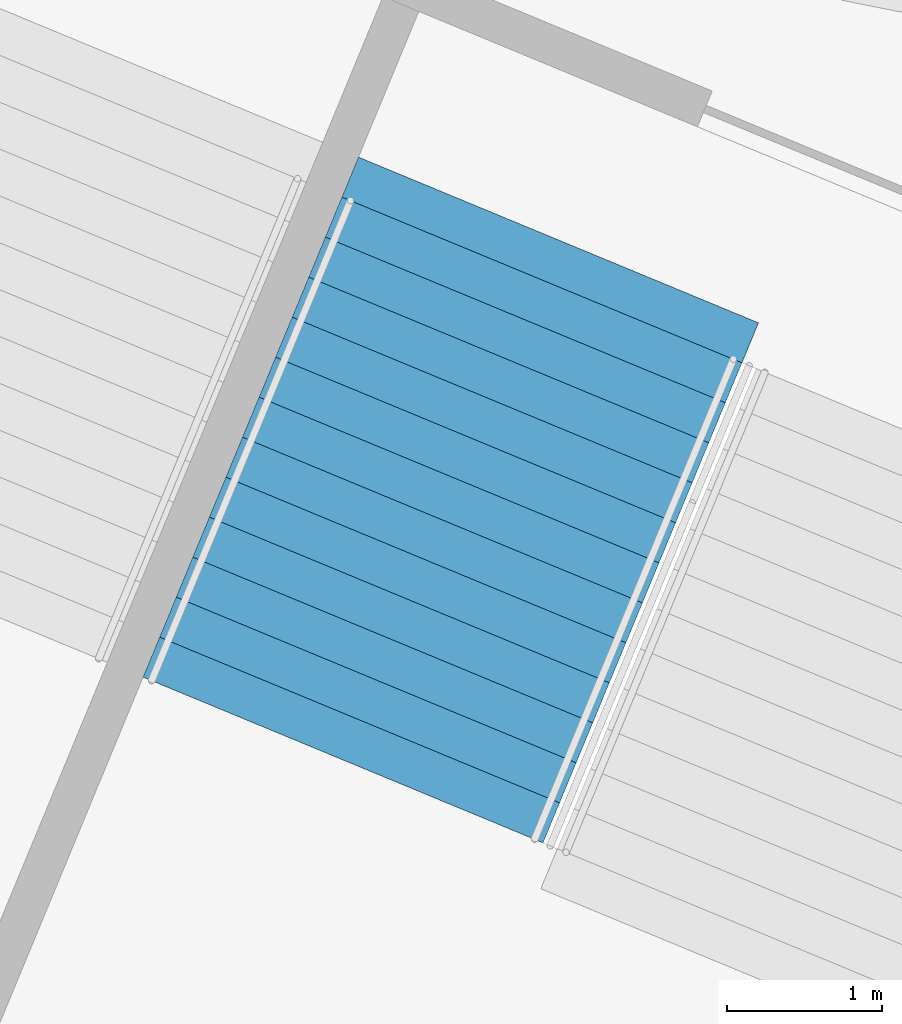
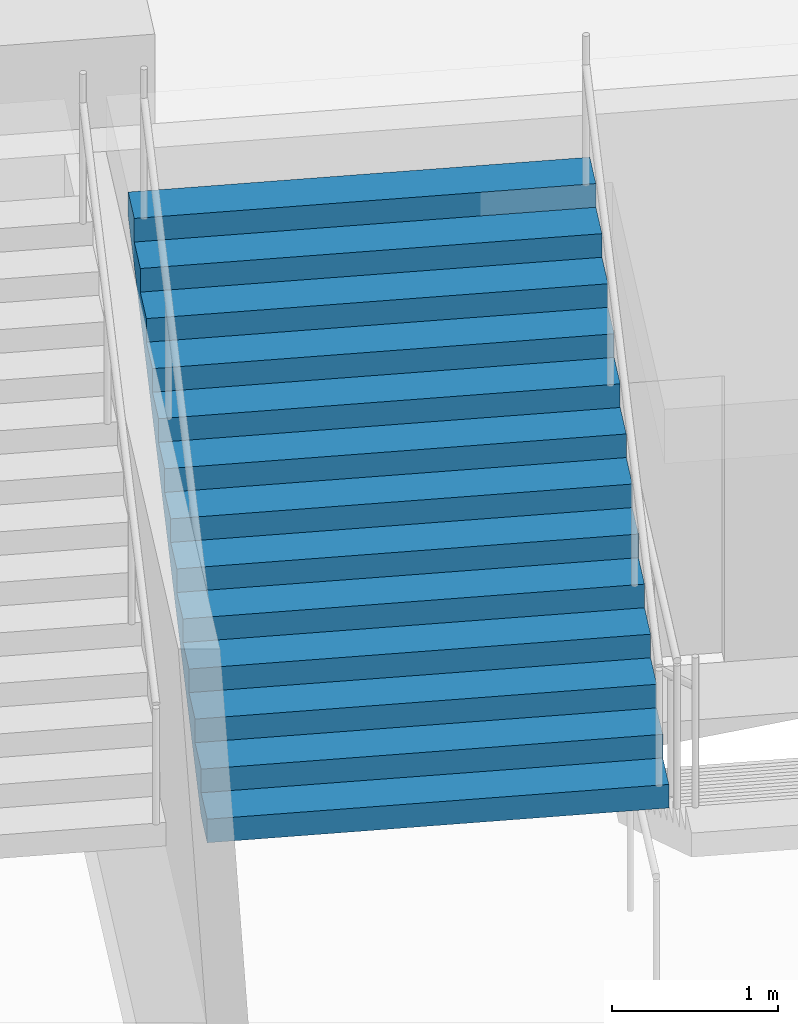
# One storey, part 109 of 199: 1 stair flight, 1 element without a shape of its own.
"""IFC4 building model written with IfcOpenShell, lengths in metres."""

from ifc_helpers import new_model, si_unit, direction, frame, origin, place, context, subcontext, project, spatial, faceted_brep, material, type_object, element, aggregate, save


model = new_model("IFC4")

# Units and contexts
model_context = context("Model", 3, precision=1e-05, world=origin(), true_north=direction((0.0, 1.0)))
body_context = subcontext(model_context, "Body", "Model", "MODEL_VIEW")
ifc_project = project(units=[si_unit("LENGTHUNIT", "METRE"), si_unit("AREAUNIT", "SQUARE_METRE"), si_unit("VOLUMEUNIT", "CUBIC_METRE"), si_unit("PLANEANGLEUNIT", "RADIAN"), si_unit("MASSUNIT", "GRAM", prefix="KILO")], contexts=[model_context])

# Site, building, storey
site_placement = place(None, origin())
site = spatial("IfcSite", under=ifc_project, at=site_placement, CompositionType="ELEMENT")
building_placement = place(site_placement, origin())
building = spatial("IfcBuilding", under=site, at=building_placement, Name="Ogive Plaza Stadium", CompositionType="ELEMENT")
storey_placement = place(building_placement, frame((0.0, 0.0, 4.5)))
storey = spatial("IfcBuildingStorey", under=building, at=storey_placement, Name="L01", CompositionType="ELEMENT", Elevation=4.5)

# Stair, stair flight
ifc_material_1 = material(Name="Concrete C40/50", Category="concrete")
stair_type = type_object("IfcStairType", Name="Exit stair", PredefinedType="STRAIGHT_RUN_STAIR", material=ifc_material_1)
stair_placement = place(storey_placement, origin())
stair = element("IfcStair", 1, at=stair_placement, inside=storey, type_object=stair_type, Name="Exit stair ST18B L01 to L02", PredefinedType="STRAIGHT_RUN_STAIR")
ifc_material_2 = material(Name="Concrete C40/50", Category="concrete")
stair_flight_type = type_object("IfcStairFlightType", Name="Exit stair flight", PredefinedType="STRAIGHT", material=ifc_material_2)
stair_flight_placement = place(storey_placement, frame((-50.08349609375, -95.314208984375, 2.25), z_axis=(0.0, 0.0, 1.0), x_axis=(0.382683432365, 0.923879532511, 0.0)))
stair_flight = element("IfcStairFlight", 2, at=stair_flight_placement, type_object=stair_flight_type, Name="ST18B flight 2", NumberOfRisers=13, NumberOfTreads=12, PredefinedType="STRAIGHT", RiserHeight=0.173076923, TreadLength=0.28, context=body_context, shape_type="Brep", body=[
    faceted_brep([(0.28515625, -1.39990234375, 0.0), (3.639892578125, -1.39990234375, 2.07373046875), (3.639892578125, -1.39990234375, 2.25), (3.360107421875, -1.39990234375, 2.25), (3.360107421875, -1.39990234375, 2.076904296875), (3.080078125, -1.39990234375, 2.076904296875), (3.080078125, -1.39990234375, 1.90380859375), (2.800048828125, -1.39990234375, 1.90380859375), (2.800048828125, -1.39990234375, 1.730712890625), (2.52001953125, -1.39990234375, 1.730712890625), (2.52001953125, -1.39990234375, 1.5576171875), (2.239990234375, -1.39990234375, 1.5576171875), (2.239990234375, -1.39990234375, 1.384521484375), (1.9599609375, -1.39990234375, 1.384521484375), (1.9599609375, -1.39990234375, 1.21142578125), (1.679931640625, -1.39990234375, 1.21142578125), (1.679931640625, -1.39990234375, 1.03857421875), (1.39990234375, -1.39990234375, 1.03857421875), (1.39990234375, -1.39990234375, 0.865478515625), (1.1201171875, -1.39990234375, 0.865478515625), (1.1201171875, -1.39990234375, 0.6923828125), (0.840087890625, -1.39990234375, 0.6923828125), (0.840087890625, -1.39990234375, 0.519287109375), (0.56005859375, -1.39990234375, 0.519287109375), (0.56005859375, -1.39990234375, 0.34619140625), (0.280029296875, -1.39990234375, 0.34619140625), (0.280029296875, -1.39990234375, 0.173095703125), (0.0, -1.39990234375, 0.173095703125), (0.0, -1.39990234375, 0.0), (0.0, 1.39990234375, 0.0), (0.0, 1.39990234375, 0.173095703125), (0.280029296875, 1.39990234375, 0.173095703125), (0.280029296875, 1.39990234375, 0.34619140625), (0.56005859375, 1.39990234375, 0.34619140625), (0.56005859375, 1.39990234375, 0.519287109375), (0.840087890625, 1.39990234375, 0.519287109375), (0.840087890625, 1.39990234375, 0.6923828125), (1.1201171875, 1.39990234375, 0.6923828125), (1.1201171875, 1.39990234375, 0.865478515625), (1.39990234375, 1.39990234375, 0.865478515625), (1.39990234375, 1.39990234375, 1.03857421875), (1.679931640625, 1.39990234375, 1.03857421875), (1.679931640625, 1.39990234375, 1.21142578125), (1.9599609375, 1.39990234375, 1.21142578125), (1.9599609375, 1.39990234375, 1.384521484375), (2.239990234375, 1.39990234375, 1.384521484375), (2.239990234375, 1.39990234375, 1.5576171875), (2.52001953125, 1.39990234375, 1.5576171875), (2.52001953125, 1.39990234375, 1.730712890625), (2.800048828125, 1.39990234375, 1.730712890625), (2.800048828125, 1.39990234375, 1.90380859375), (3.080078125, 1.39990234375, 1.90380859375), (3.080078125, 1.39990234375, 2.076904296875), (3.360107421875, 1.39990234375, 2.076904296875), (3.360107421875, 1.39990234375, 2.25), (3.639892578125, 1.39990234375, 2.25), (3.639892578125, 1.39990234375, 2.07373046875), (0.28515625, 1.39990234375, 0.0), (0.28515625, -1.0888671875, 0.0), (3.639892578125, -1.0888671875, 2.07373046875), (0.28515625, -0.77783203125, 0.0), (3.639892578125, -0.77783203125, 2.07373046875), (0.28515625, -0.466796875, 0.0), (3.639892578125, -0.466796875, 2.07373046875), (0.28515625, -0.155517578125, 0.0), (3.639892578125, -0.155517578125, 2.07373046875), (0.28515625, 0.155517578125, 0.0), (3.639892578125, 0.155517578125, 2.07373046875), (0.28515625, 0.466796875, 0.0), (3.639892578125, 0.466796875, 2.07373046875), (0.28515625, 0.77783203125, 0.0), (3.639892578125, 0.77783203125, 2.07373046875), (0.28515625, 1.0888671875, 0.0), (3.639892578125, 1.0888671875, 2.07373046875), (3.639892578125, -1.0888671875, 2.25), (3.639892578125, -0.77783203125, 2.25), (3.639892578125, -0.466796875, 2.25), (3.639892578125, -0.155517578125, 2.25), (3.639892578125, 0.155517578125, 2.25), (3.639892578125, 0.466796875, 2.25), (3.639892578125, 0.77783203125, 2.25), (3.639892578125, 1.0888671875, 2.25), (3.360107421875, -1.0888671875, 2.25), (3.360107421875, -0.77783203125, 2.25), (3.360107421875, -0.466796875, 2.25), (3.360107421875, -0.155517578125, 2.25), (3.360107421875, 0.155517578125, 2.25), (3.360107421875, 0.466796875, 2.25), (3.360107421875, 0.77783203125, 2.25), (3.360107421875, 1.0888671875, 2.25), (3.360107421875, -1.0888671875, 2.076904296875), (3.360107421875, -0.77783203125, 2.076904296875), (3.360107421875, -0.466796875, 2.076904296875), (3.360107421875, -0.155517578125, 2.076904296875), (3.360107421875, 0.155517578125, 2.076904296875), (3.360107421875, 0.466796875, 2.076904296875), (3.360107421875, 0.77783203125, 2.076904296875), (3.360107421875, 1.0888671875, 2.076904296875), (3.080078125, -1.0888671875, 2.076904296875), (3.080078125, -0.77783203125, 2.076904296875), (3.080078125, -0.466796875, 2.076904296875), (3.080078125, -0.155517578125, 2.076904296875), (3.080078125, 0.155517578125, 2.076904296875), (3.080078125, 0.466796875, 2.076904296875), (3.080078125, 0.77783203125, 2.076904296875), (3.080078125, 1.0888671875, 2.076904296875), (3.080078125, -1.0888671875, 1.90380859375), (3.080078125, -0.77783203125, 1.90380859375), (3.080078125, -0.466796875, 1.90380859375), (3.080078125, -0.155517578125, 1.90380859375), (3.080078125, 0.155517578125, 1.90380859375), (3.080078125, 0.466796875, 1.90380859375), (3.080078125, 0.77783203125, 1.90380859375), (3.080078125, 1.0888671875, 1.90380859375), (2.800048828125, -1.0888671875, 1.90380859375), (2.800048828125, -0.77783203125, 1.90380859375), (2.800048828125, -0.466796875, 1.90380859375), (2.800048828125, -0.155517578125, 1.90380859375), (2.800048828125, 0.155517578125, 1.90380859375), (2.800048828125, 0.466796875, 1.90380859375), (2.800048828125, 0.77783203125, 1.90380859375), (2.800048828125, 1.0888671875, 1.90380859375), (2.800048828125, -1.0888671875, 1.730712890625), (2.800048828125, -0.77783203125, 1.730712890625), (2.800048828125, -0.466796875, 1.730712890625), (2.800048828125, -0.155517578125, 1.730712890625), (2.800048828125, 0.155517578125, 1.730712890625), (2.800048828125, 0.466796875, 1.730712890625), (2.800048828125, 0.77783203125, 1.730712890625), (2.800048828125, 1.0888671875, 1.730712890625), (2.52001953125, -1.0888671875, 1.730712890625), (2.52001953125, -0.77783203125, 1.730712890625), (2.52001953125, -0.466796875, 1.730712890625), (2.52001953125, -0.155517578125, 1.730712890625), (2.52001953125, 0.155517578125, 1.730712890625), (2.52001953125, 0.466796875, 1.730712890625), (2.52001953125, 0.77783203125, 1.730712890625), (2.52001953125, 1.0888671875, 1.730712890625), (2.52001953125, -1.0888671875, 1.5576171875), (2.52001953125, -0.77783203125, 1.5576171875), (2.52001953125, -0.466796875, 1.5576171875), (2.52001953125, -0.155517578125, 1.5576171875), (2.52001953125, 0.155517578125, 1.5576171875), (2.52001953125, 0.466796875, 1.5576171875), (2.52001953125, 0.77783203125, 1.5576171875), (2.52001953125, 1.0888671875, 1.5576171875), (2.239990234375, -1.0888671875, 1.5576171875), (2.239990234375, -0.77783203125, 1.5576171875), (2.239990234375, -0.466796875, 1.5576171875), (2.239990234375, -0.155517578125, 1.5576171875), (2.239990234375, 0.155517578125, 1.5576171875), (2.239990234375, 0.466796875, 1.5576171875), (2.239990234375, 0.77783203125, 1.5576171875), (2.239990234375, 1.0888671875, 1.5576171875), (2.239990234375, -1.0888671875, 1.384521484375), (2.239990234375, -0.77783203125, 1.384521484375), (2.239990234375, -0.466796875, 1.384521484375), (2.239990234375, -0.155517578125, 1.384521484375), (2.239990234375, 0.155517578125, 1.384521484375), (2.239990234375, 0.466796875, 1.384521484375), (2.239990234375, 0.77783203125, 1.384521484375), (2.239990234375, 1.0888671875, 1.384521484375), (1.9599609375, -1.0888671875, 1.384521484375), (1.9599609375, -0.77783203125, 1.384521484375), (1.9599609375, -0.466796875, 1.384521484375), (1.9599609375, -0.155517578125, 1.384521484375), (1.9599609375, 0.155517578125, 1.384521484375), (1.9599609375, 0.466796875, 1.384521484375), (1.9599609375, 0.77783203125, 1.384521484375), (1.9599609375, 1.0888671875, 1.384521484375), (1.9599609375, -1.0888671875, 1.21142578125), (1.9599609375, -0.77783203125, 1.21142578125), (1.9599609375, -0.466796875, 1.21142578125), (1.9599609375, -0.155517578125, 1.21142578125), (1.9599609375, 0.155517578125, 1.21142578125), (1.9599609375, 0.466796875, 1.21142578125), (1.9599609375, 0.77783203125, 1.21142578125), (1.9599609375, 1.0888671875, 1.21142578125), (1.679931640625, -1.0888671875, 1.21142578125), (1.679931640625, -0.77783203125, 1.21142578125), (1.679931640625, -0.466796875, 1.21142578125), (1.679931640625, -0.155517578125, 1.21142578125), (1.679931640625, 0.155517578125, 1.21142578125), (1.679931640625, 0.466796875, 1.21142578125), (1.679931640625, 0.77783203125, 1.21142578125), (1.679931640625, 1.0888671875, 1.21142578125), (1.679931640625, -1.0888671875, 1.03857421875), (1.679931640625, -0.77783203125, 1.03857421875), (1.679931640625, -0.466796875, 1.03857421875), (1.679931640625, -0.155517578125, 1.03857421875), (1.679931640625, 0.155517578125, 1.03857421875), (1.679931640625, 0.466796875, 1.03857421875), (1.679931640625, 0.77783203125, 1.03857421875), (1.679931640625, 1.0888671875, 1.03857421875), (1.39990234375, -1.0888671875, 1.03857421875), (1.39990234375, -0.77783203125, 1.03857421875), (1.39990234375, -0.466796875, 1.03857421875), (1.39990234375, -0.155517578125, 1.03857421875), (1.39990234375, 0.155517578125, 1.03857421875), (1.39990234375, 0.466796875, 1.03857421875), (1.39990234375, 0.77783203125, 1.03857421875), (1.39990234375, 1.0888671875, 1.03857421875), (1.39990234375, -1.0888671875, 0.865478515625), (1.39990234375, -0.77783203125, 0.865478515625), (1.39990234375, -0.466796875, 0.865478515625), (1.39990234375, -0.155517578125, 0.865478515625), (1.39990234375, 0.155517578125, 0.865478515625), (1.39990234375, 0.466796875, 0.865478515625), (1.39990234375, 0.77783203125, 0.865478515625), (1.39990234375, 1.0888671875, 0.865478515625), (1.1201171875, -1.0888671875, 0.865478515625), (1.1201171875, -0.77783203125, 0.865478515625), (1.1201171875, -0.466796875, 0.865478515625), (1.1201171875, -0.155517578125, 0.865478515625), (1.1201171875, 0.155517578125, 0.865478515625), (1.1201171875, 0.466796875, 0.865478515625), (1.1201171875, 0.77783203125, 0.865478515625), (1.1201171875, 1.0888671875, 0.865478515625), (1.1201171875, -1.0888671875, 0.6923828125), (1.1201171875, -0.77783203125, 0.6923828125), (1.1201171875, -0.466796875, 0.6923828125), (1.1201171875, -0.155517578125, 0.6923828125), (1.1201171875, 0.155517578125, 0.6923828125), (1.1201171875, 0.466796875, 0.6923828125), (1.1201171875, 0.77783203125, 0.6923828125), (1.1201171875, 1.0888671875, 0.6923828125), (0.840087890625, -1.0888671875, 0.6923828125), (0.840087890625, -0.77783203125, 0.6923828125), (0.840087890625, -0.466796875, 0.6923828125), (0.840087890625, -0.155517578125, 0.6923828125), (0.840087890625, 0.155517578125, 0.6923828125), (0.840087890625, 0.466796875, 0.6923828125), (0.840087890625, 0.77783203125, 0.6923828125), (0.840087890625, 1.0888671875, 0.6923828125), (0.840087890625, -1.0888671875, 0.519287109375), (0.840087890625, -0.77783203125, 0.519287109375), (0.840087890625, -0.466796875, 0.519287109375), (0.840087890625, -0.155517578125, 0.519287109375), (0.840087890625, 0.155517578125, 0.519287109375), (0.840087890625, 0.466796875, 0.519287109375), (0.840087890625, 0.77783203125, 0.519287109375), (0.840087890625, 1.0888671875, 0.519287109375), (0.56005859375, -1.0888671875, 0.519287109375), (0.56005859375, -0.77783203125, 0.519287109375), (0.56005859375, -0.466796875, 0.519287109375), (0.56005859375, -0.155517578125, 0.519287109375), (0.56005859375, 0.155517578125, 0.519287109375), (0.56005859375, 0.466796875, 0.519287109375), (0.56005859375, 0.77783203125, 0.519287109375), (0.56005859375, 1.0888671875, 0.519287109375), (0.56005859375, -1.0888671875, 0.34619140625), (0.56005859375, -0.77783203125, 0.34619140625), (0.56005859375, -0.466796875, 0.34619140625), (0.56005859375, -0.155517578125, 0.34619140625), (0.56005859375, 0.155517578125, 0.34619140625), (0.56005859375, 0.466796875, 0.34619140625), (0.56005859375, 0.77783203125, 0.34619140625), (0.56005859375, 1.0888671875, 0.34619140625), (0.280029296875, -1.0888671875, 0.34619140625), (0.280029296875, -0.77783203125, 0.34619140625), (0.280029296875, -0.466796875, 0.34619140625), (0.280029296875, -0.155517578125, 0.34619140625), (0.280029296875, 0.155517578125, 0.34619140625), (0.280029296875, 0.466796875, 0.34619140625), (0.280029296875, 0.77783203125, 0.34619140625), (0.280029296875, 1.0888671875, 0.34619140625), (0.280029296875, -1.0888671875, 0.173095703125), (0.280029296875, -0.77783203125, 0.173095703125), (0.280029296875, -0.466796875, 0.173095703125), (0.280029296875, -0.155517578125, 0.173095703125), (0.280029296875, 0.155517578125, 0.173095703125), (0.280029296875, 0.466796875, 0.173095703125), (0.280029296875, 0.77783203125, 0.173095703125), (0.280029296875, 1.0888671875, 0.173095703125), (0.0, -1.0888671875, 0.173095703125), (0.0, -0.77783203125, 0.173095703125), (0.0, -0.466796875, 0.173095703125), (0.0, -0.155517578125, 0.173095703125), (0.0, 0.155517578125, 0.173095703125), (0.0, 0.466796875, 0.173095703125), (0.0, 0.77783203125, 0.173095703125), (0.0, 1.0888671875, 0.173095703125), (0.0, -1.0888671875, 0.0), (0.0, -0.77783203125, 0.0), (0.0, -0.466796875, 0.0), (0.0, -0.155517578125, 0.0), (0.0, 0.155517578125, 0.0), (0.0, 0.466796875, 0.0), (0.0, 0.77783203125, 0.0), (0.0, 1.0888671875, 0.0)], [[[0, 1, 2, 3, 4, 5, 6, 7, 8, 9, 10, 11, 12, 13, 14, 15, 16, 17, 18, 19, 20, 21, 22, 23, 24, 25, 26, 27, 28]], [[29, 30, 31, 32, 33, 34, 35, 36, 37, 38, 39, 40, 41, 42, 43, 44, 45, 46, 47, 48, 49, 50, 51, 52, 53, 54, 55, 56, 57]], [[0, 58, 59, 1]], [[58, 60, 61, 59]], [[60, 62, 63, 61]], [[62, 64, 65, 63]], [[64, 66, 67, 65]], [[66, 68, 69, 67]], [[68, 70, 71, 69]], [[70, 72, 73, 71]], [[72, 57, 56, 73]], [[1, 59, 74, 2]], [[59, 61, 75, 74]], [[61, 63, 76, 75]], [[63, 65, 77, 76]], [[65, 67, 78, 77]], [[67, 69, 79, 78]], [[69, 71, 80, 79]], [[71, 73, 81, 80]], [[73, 56, 55, 81]], [[2, 74, 82, 3]], [[74, 75, 83, 82]], [[75, 76, 84, 83]], [[76, 77, 85, 84]], [[77, 78, 86, 85]], [[78, 79, 87, 86]], [[79, 80, 88, 87]], [[80, 81, 89, 88]], [[81, 55, 54, 89]], [[3, 82, 90, 4]], [[82, 83, 91, 90]], [[83, 84, 92, 91]], [[84, 85, 93, 92]], [[85, 86, 94, 93]], [[86, 87, 95, 94]], [[87, 88, 96, 95]], [[88, 89, 97, 96]], [[89, 54, 53, 97]], [[4, 90, 98, 5]], [[90, 91, 99, 98]], [[91, 92, 100, 99]], [[92, 93, 101, 100]], [[93, 94, 102, 101]], [[94, 95, 103, 102]], [[95, 96, 104, 103]], [[96, 97, 105, 104]], [[97, 53, 52, 105]], [[5, 98, 106, 6]], [[98, 99, 107, 106]], [[99, 100, 108, 107]], [[100, 101, 109, 108]], [[101, 102, 110, 109]], [[102, 103, 111, 110]], [[103, 104, 112, 111]], [[104, 105, 113, 112]], [[105, 52, 51, 113]], [[6, 106, 114, 7]], [[106, 107, 115, 114]], [[107, 108, 116, 115]], [[108, 109, 117, 116]], [[109, 110, 118, 117]], [[110, 111, 119, 118]], [[111, 112, 120, 119]], [[112, 113, 121, 120]], [[113, 51, 50, 121]], [[7, 114, 122, 8]], [[114, 115, 123, 122]], [[115, 116, 124, 123]], [[116, 117, 125, 124]], [[117, 118, 126, 125]], [[118, 119, 127, 126]], [[119, 120, 128, 127]], [[120, 121, 129, 128]], [[121, 50, 49, 129]], [[8, 122, 130, 9]], [[122, 123, 131, 130]], [[123, 124, 132, 131]], [[124, 125, 133, 132]], [[125, 126, 134, 133]], [[126, 127, 135, 134]], [[127, 128, 136, 135]], [[128, 129, 137, 136]], [[129, 49, 48, 137]], [[9, 130, 138, 10]], [[130, 131, 139, 138]], [[131, 132, 140, 139]], [[132, 133, 141, 140]], [[133, 134, 142, 141]], [[134, 135, 143, 142]], [[135, 136, 144, 143]], [[136, 137, 145, 144]], [[137, 48, 47, 145]], [[10, 138, 146, 11]], [[138, 139, 147, 146]], [[139, 140, 148, 147]], [[140, 141, 149, 148]], [[141, 142, 150, 149]], [[142, 143, 151, 150]], [[143, 144, 152, 151]], [[144, 145, 153, 152]], [[145, 47, 46, 153]], [[11, 146, 154, 12]], [[146, 147, 155, 154]], [[147, 148, 156, 155]], [[148, 149, 157, 156]], [[149, 150, 158, 157]], [[150, 151, 159, 158]], [[151, 152, 160, 159]], [[152, 153, 161, 160]], [[153, 46, 45, 161]], [[12, 154, 162, 13]], [[154, 155, 163, 162]], [[155, 156, 164, 163]], [[156, 157, 165, 164]], [[157, 158, 166, 165]], [[158, 159, 167, 166]], [[159, 160, 168, 167]], [[160, 161, 169, 168]], [[161, 45, 44, 169]], [[13, 162, 170, 14]], [[162, 163, 171, 170]], [[163, 164, 172, 171]], [[164, 165, 173, 172]], [[165, 166, 174, 173]], [[166, 167, 175, 174]], [[167, 168, 176, 175]], [[168, 169, 177, 176]], [[169, 44, 43, 177]], [[14, 170, 178, 15]], [[170, 171, 179, 178]], [[171, 172, 180, 179]], [[172, 173, 181, 180]], [[173, 174, 182, 181]], [[174, 175, 183, 182]], [[175, 176, 184, 183]], [[176, 177, 185, 184]], [[177, 43, 42, 185]], [[15, 178, 186, 16]], [[178, 179, 187, 186]], [[179, 180, 188, 187]], [[180, 181, 189, 188]], [[181, 182, 190, 189]], [[182, 183, 191, 190]], [[183, 184, 192, 191]], [[184, 185, 193, 192]], [[185, 42, 41, 193]], [[16, 186, 194, 17]], [[186, 187, 195, 194]], [[187, 188, 196, 195]], [[188, 189, 197, 196]], [[189, 190, 198, 197]], [[190, 191, 199, 198]], [[191, 192, 200, 199]], [[192, 193, 201, 200]], [[193, 41, 40, 201]], [[17, 194, 202, 18]], [[194, 195, 203, 202]], [[195, 196, 204, 203]], [[196, 197, 205, 204]], [[197, 198, 206, 205]], [[198, 199, 207, 206]], [[199, 200, 208, 207]], [[200, 201, 209, 208]], [[201, 40, 39, 209]], [[18, 202, 210, 19]], [[202, 203, 211, 210]], [[203, 204, 212, 211]], [[204, 205, 213, 212]], [[205, 206, 214, 213]], [[206, 207, 215, 214]], [[207, 208, 216, 215]], [[208, 209, 217, 216]], [[209, 39, 38, 217]], [[19, 210, 218, 20]], [[210, 211, 219, 218]], [[211, 212, 220, 219]], [[212, 213, 221, 220]], [[213, 214, 222, 221]], [[214, 215, 223, 222]], [[215, 216, 224, 223]], [[216, 217, 225, 224]], [[217, 38, 37, 225]], [[20, 218, 226, 21]], [[218, 219, 227, 226]], [[219, 220, 228, 227]], [[220, 221, 229, 228]], [[221, 222, 230, 229]], [[222, 223, 231, 230]], [[223, 224, 232, 231]], [[224, 225, 233, 232]], [[225, 37, 36, 233]], [[21, 226, 234, 22]], [[226, 227, 235, 234]], [[227, 228, 236, 235]], [[228, 229, 237, 236]], [[229, 230, 238, 237]], [[230, 231, 239, 238]], [[231, 232, 240, 239]], [[232, 233, 241, 240]], [[233, 36, 35, 241]], [[22, 234, 242, 23]], [[234, 235, 243, 242]], [[235, 236, 244, 243]], [[236, 237, 245, 244]], [[237, 238, 246, 245]], [[238, 239, 247, 246]], [[239, 240, 248, 247]], [[240, 241, 249, 248]], [[241, 35, 34, 249]], [[23, 242, 250, 24]], [[242, 243, 251, 250]], [[243, 244, 252, 251]], [[244, 245, 253, 252]], [[245, 246, 254, 253]], [[246, 247, 255, 254]], [[247, 248, 256, 255]], [[248, 249, 257, 256]], [[249, 34, 33, 257]], [[24, 250, 258, 25]], [[250, 251, 259, 258]], [[251, 252, 260, 259]], [[252, 253, 261, 260]], [[253, 254, 262, 261]], [[254, 255, 263, 262]], [[255, 256, 264, 263]], [[256, 257, 265, 264]], [[257, 33, 32, 265]], [[25, 258, 266, 26]], [[258, 259, 267, 266]], [[259, 260, 268, 267]], [[260, 261, 269, 268]], [[261, 262, 270, 269]], [[262, 263, 271, 270]], [[263, 264, 272, 271]], [[264, 265, 273, 272]], [[265, 32, 31, 273]], [[26, 266, 274, 27]], [[266, 267, 275, 274]], [[267, 268, 276, 275]], [[268, 269, 277, 276]], [[269, 270, 278, 277]], [[270, 271, 279, 278]], [[271, 272, 280, 279]], [[272, 273, 281, 280]], [[273, 31, 30, 281]], [[27, 274, 282, 28]], [[274, 275, 283, 282]], [[275, 276, 284, 283]], [[276, 277, 285, 284]], [[277, 278, 286, 285]], [[278, 279, 287, 286]], [[279, 280, 288, 287]], [[280, 281, 289, 288]], [[281, 30, 29, 289]], [[28, 282, 58, 0]], [[282, 283, 60, 58]], [[283, 284, 62, 60]], [[284, 285, 64, 62]], [[285, 286, 66, 64]], [[286, 287, 68, 66]], [[287, 288, 70, 68]], [[288, 289, 72, 70]], [[289, 29, 57, 72]]]),
])
aggregate(stair, [stair_flight])

save(model, "model.ifc")
